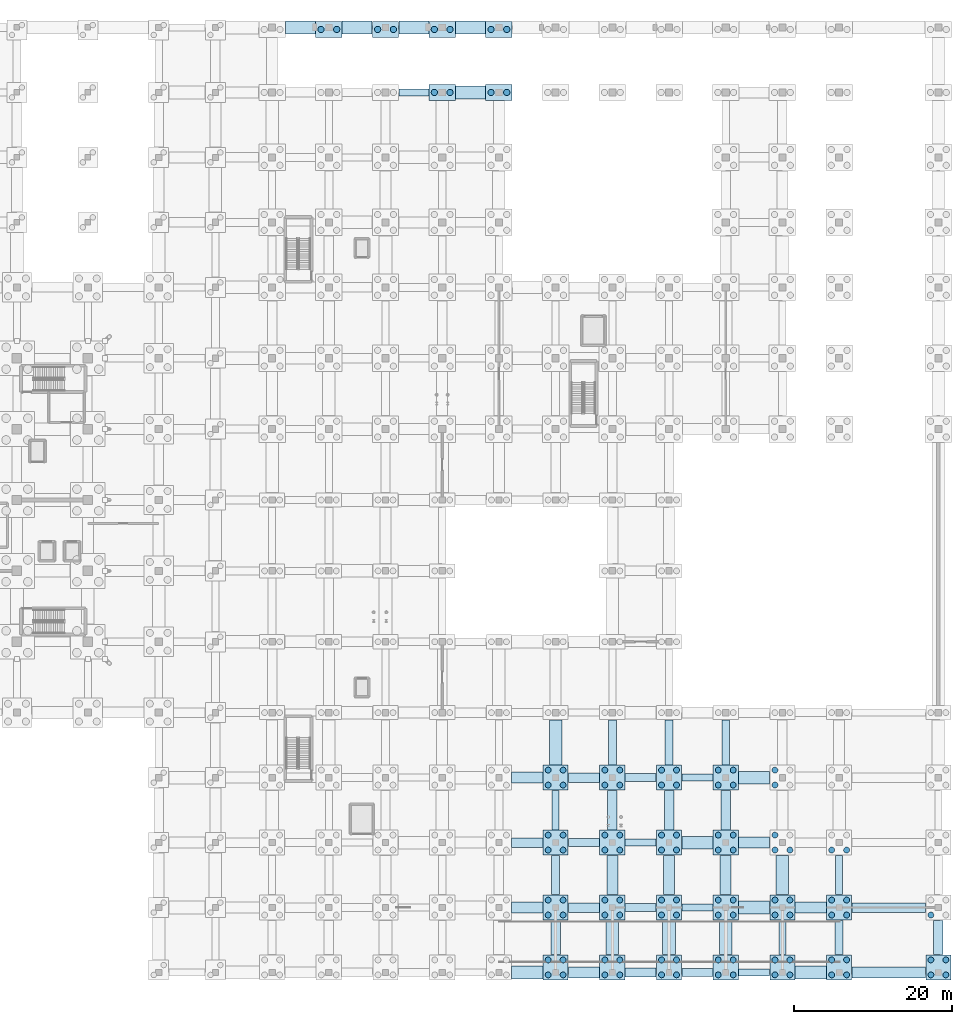
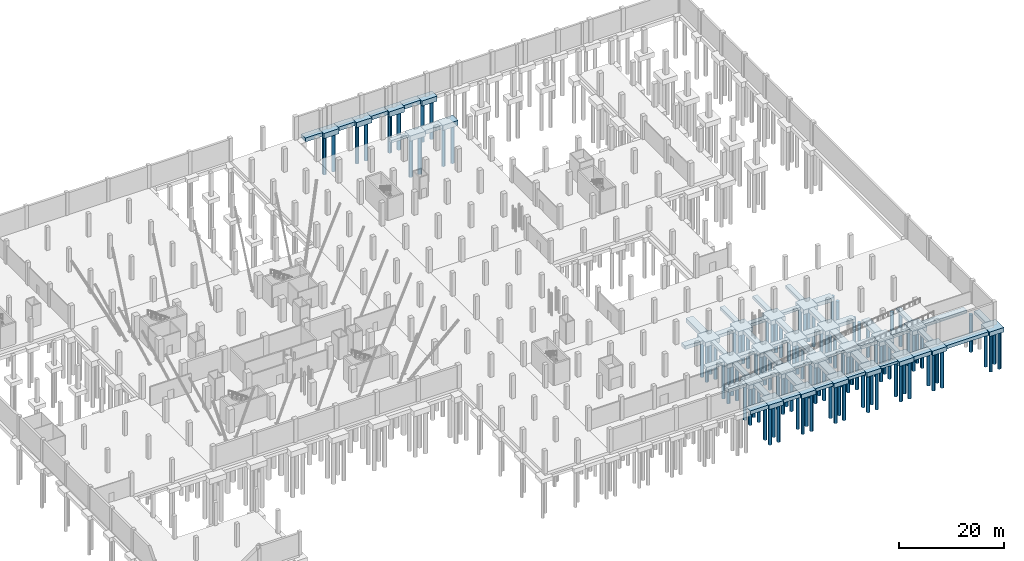
# One storey, part 9 of 42: 104 piles, 78 footings.
"""IFC4 building model written with IfcOpenShell, lengths in metres."""

from ifc_helpers import new_model, si_unit, direction, frame, origin, origin_2d, place, context, subcontext, project, spatial, rectangle, circle, extrude, material, material_profile, profile_set, type_object, element, save


model = new_model("IFC4")

# Units and contexts
model_context = context("Model", 3, precision=1e-05, world=origin(), true_north=direction((0.0, 1.0)))
body_context = subcontext(model_context, "Body", "Model", "MODEL_VIEW")
ifc_project = project(units=[si_unit("LENGTHUNIT", "METRE"), si_unit("AREAUNIT", "SQUARE_METRE"), si_unit("VOLUMEUNIT", "CUBIC_METRE"), si_unit("PLANEANGLEUNIT", "RADIAN"), si_unit("MASSUNIT", "GRAM", prefix="KILO")], contexts=[model_context])

# Site, building, storey
site_placement = place(None, origin())
site = spatial("IfcSite", under=ifc_project, at=site_placement, CompositionType="ELEMENT")
building_placement = place(site_placement, origin())
building = spatial("IfcBuilding", under=site, at=building_placement, Name="Sundgate Opera House", CompositionType="ELEMENT")
storey_placement = place(building_placement, frame((0.0, 0.0, -5.39990234375)))
storey = spatial("IfcBuildingStorey", under=building, at=storey_placement, Name="B01", CompositionType="ELEMENT", Elevation=-5.39990234375)

# Footings
ifc_material_1 = material(Name="Concrete C40/50", Category="concrete")
footing_type_1 = type_object("IfcFootingType", Name="FT-PC-3200x3200x1050", PredefinedType="PILE_CAP", material=ifc_material_1)
for number, where, z_axis, x_axis, name in (
    (1, (131.39990234375, 0.64990234375, -1.85009765625), (0.0, 0.0, 1.0), (1.0, 0.0, 0.0), "Pile Cap F0218"),
    (2, (131.39990234375, 8.25, -1.85009765625), (0.0, 0.0, 1.0), (1.0, 0.0, 0.0), "Pile Cap F0219"),
    (3, (131.39990234375, 16.5, -1.85009765625), (0.0, 0.0, 1.0), (1.0, 0.0, 0.0), "Pile Cap F0220"),
    (4, (131.39990234375, 24.75, -1.85009765625), (0.0, 0.0, 1.0), (1.0, 0.0, 0.0), "Pile Cap F0221"),
    (5, (138.60009765625, 0.64990234375, -1.85009765625), (0.0, 0.0, 1.0), (1.0, 0.0, 0.0), "Pile Cap F0230"),
    (6, (138.60009765625, 8.25, -1.85009765625), (0.0, 0.0, 1.0), (1.0, 0.0, 0.0), "Pile Cap F0231"),
    (7, (138.60009765625, 16.5, -1.85009765625), (0.0, 0.0, 1.0), (1.0, 0.0, 0.0), "Pile Cap F0232"),
    (8, (138.60009765625, 24.75, -1.85009765625), (0.0, 0.0, 1.0), (1.0, 0.0, 0.0), "Pile Cap F0233"),
    (9, (145.800048828125, 0.64990234375, -1.85009765625), (0.0, 0.0, 1.0), (1.0, 0.0, 0.0), "Pile Cap F0243"),
    (10, (145.800048828125, 8.25, -1.85009765625), (0.0, 0.0, 1.0), (1.0, 0.0, 0.0), "Pile Cap F0244"),
    (11, (145.800048828125, 16.5, -1.85009765625), (0.0, 0.0, 1.0), (1.0, 0.0, 0.0), "Pile Cap F0245"),
    (12, (145.800048828125, 24.75, -1.85009765625), (0.0, 0.0, 1.0), (1.0, 0.0, 0.0), "Pile Cap F0246"),
    (13, (153.0, 0.64990234375, -1.85009765625), (0.0, 0.0, 1.0), (1.0, 0.0, 0.0), "Pile Cap F0256"),
    (14, (153.0, 8.25, -1.85009765625), (0.0, 0.0, 1.0), (1.0, 0.0, 0.0), "Pile Cap F0257"),
    (15, (153.0, 16.5, -1.85009765625), (0.0, 0.0, 1.0), (1.0, 0.0, 0.0), "Pile Cap F0258"),
    (16, (153.0, 24.75, -1.85009765625), (0.0, 0.0, 1.0), (1.0, 0.0, 0.0), "Pile Cap F0259"),
    (17, (160.199951171875, 0.64990234375, -1.85009765625), (0.0, 0.0, 1.0), (1.0, 0.0, 0.0), "Pile Cap F0268"),
    (18, (160.199951171875, 8.25, -1.85009765625), (0.0, 0.0, 1.0), (1.0, 0.0, 0.0), "Pile Cap F0269"),
    (19, (167.39990234375, 0.64990234375, -1.85009765625), (0.0, 0.0, 1.0), (1.0, 0.0, 0.0), "Pile Cap F0280"),
    (20, (167.39990234375, 8.25, -1.85009765625), (0.0, 0.0, 1.0), (1.0, 0.0, 0.0), "Pile Cap F0281"),
    (21, (180.0, 0.64990234375, -1.85009765625), (0.0, 0.0, 1.0), (1.0, 0.0, 0.0), "Pile Cap F0292"),
):
    element("IfcFooting", number, at=place(storey_placement, frame(where, z_axis=z_axis, x_axis=x_axis)), inside=storey, type_object=footing_type_1, Name=name, PredefinedType="PILE_CAP", context=body_context, shape_type="SweptSolid", body=[
        extrude(rectangle(XDim=3.199951171875, YDim=3.199951171875, at=origin_2d()), origin(), (0.0, 0.0, 1.0), 1.050048828125),
    ])
ifc_material_2 = material(Name="Concrete C40/50", Category="concrete")
footing_type_2 = type_object("IfcFootingType", Name="FT-PC-3360x2000x1200", PredefinedType="PILE_CAP", material=ifc_material_2)
for number, where, z_axis, x_axis, name in (
    (22, (102.60009765625, 119.75, -1.2001953125), (0.0, 0.0, 1.0), (1.0, 0.0, 0.0), "Pile Cap F0173"),
    (23, (109.800048828125, 119.75, -1.2001953125), (0.0, 0.0, 1.0), (1.0, 0.0, 0.0), "Pile Cap F0188"),
    (24, (117.0, 111.75, -2.0), (0.0, 0.0, 1.0), (1.0, 0.0, 0.0), "Pile Cap F0202"),
    (25, (117.0, 119.75, -1.2001953125), (0.0, 0.0, 1.0), (1.0, 0.0, 0.0), "Pile Cap F0203"),
    (26, (124.199951171875, 111.75, -2.0), (0.0, 0.0, 1.0), (1.0, 0.0, 0.0), "Pile Cap F0216"),
    (27, (124.199951171875, 119.75, -1.2001953125), (0.0, 0.0, 1.0), (1.0, 0.0, 0.0), "Pile Cap F0217"),
):
    element("IfcFooting", number, at=place(storey_placement, frame(where, z_axis=z_axis, x_axis=x_axis)), inside=storey, type_object=footing_type_2, Name=name, PredefinedType="PILE_CAP", context=body_context, shape_type="SweptSolid", body=[
        extrude(rectangle(XDim=3.360107421875, YDim=2.0, at=origin_2d()), origin(), (0.0, 0.0, 1.0), 1.199951171875),
    ])
ifc_material_3 = material(Name="Concrete C35/45", Category="concrete")
footing_type_3 = type_object("IfcFootingType", Name="FT-STR-1000x700", PredefinedType="STRIP_FOOTING", material=ifc_material_3)
footing_1_placement = place(storey_placement, frame((131.39990234375, 12.375, -1.5), z_axis=(0.0, 0.0, 1.0), x_axis=(1.0, 0.0, 0.0)))
element("IfcFooting", 28, at=footing_1_placement, inside=storey, type_object=footing_type_3, Name="Strip Footing F0487", PredefinedType="STRIP_FOOTING", context=body_context, shape_type="SweptSolid", body=[
    extrude(rectangle(XDim=1.0, YDim=5.0, at=origin_2d()), origin(), (0.0, 0.0, 1.0), 0.699951171875),
])
for number, where, z_axis, x_axis, name in (
    (29, (138.60009765625, 29.22509765625, -1.5), (0.0, 0.0, 1.0), (1.0, 0.0, 0.0), "Strip Footing F0497"),
    (30, (145.800048828125, 29.22509765625, -1.5), (0.0, 0.0, 1.0), (1.0, 0.0, 0.0), "Strip Footing F0507"),
    (31, (153.0, 29.22509765625, -1.5), (0.0, 0.0, 1.0), (1.0, 0.0, 0.0), "Strip Footing F0517"),
):
    element("IfcFooting", number, at=place(storey_placement, frame(where, z_axis=z_axis, x_axis=x_axis)), inside=storey, type_object=footing_type_3, Name=name, PredefinedType="STRIP_FOOTING", context=body_context, shape_type="SweptSolid", body=[
        extrude(rectangle(XDim=1.0, YDim=5.699951171875, at=origin_2d()), origin(), (0.0, 0.0, 1.0), 0.699951171875),
    ])
footing_2_placement = place(storey_placement, frame((167.39990234375, 4.449951171875, -1.5), z_axis=(0.0, 0.0, 1.0), x_axis=(1.0, 0.0, 0.0)))
element("IfcFooting", 32, at=footing_2_placement, inside=storey, type_object=footing_type_3, Name="Strip Footing F0532", PredefinedType="STRIP_FOOTING", context=body_context, shape_type="SweptSolid", body=[
    extrude(rectangle(XDim=1.0, YDim=4.35009765625, at=origin_2d()), origin(), (0.0, 0.0, 1.0), 0.699951171875),
])
for number, where, z_axis, x_axis, name in (
    (33, (149.39990234375, 0.0, -1.5), (0.0, 0.0, 1.0), (1.0, 0.0, 0.0), "Strip Footing F0552"),
    (34, (142.199951171875, 8.25, -1.5), (0.0, 0.0, 1.0), (1.0, 0.0, 0.0), "Strip Footing F0567"),
    (35, (135.0, 16.5, -1.5), (0.0, 0.0, 1.0), (1.0, 0.0, 0.0), "Strip Footing F0582"),
    (36, (142.199951171875, 24.75, -1.5), (0.0, 0.0, 1.0), (1.0, 0.0, 0.0), "Strip Footing F0597"),
):
    element("IfcFooting", number, at=place(storey_placement, frame(where, z_axis=z_axis, x_axis=x_axis)), inside=storey, type_object=footing_type_3, Name=name, PredefinedType="STRIP_FOOTING", context=body_context, shape_type="SweptSolid", body=[
        extrude(rectangle(XDim=3.949951171875, YDim=1.0, at=origin_2d()), origin(), (0.0, 0.0, 1.0), 0.699951171875),
    ])
ifc_material_4 = material(Name="Concrete C35/45", Category="concrete")
footing_type_4 = type_object("IfcFootingType", Name="FT-STR-1200x750", PredefinedType="STRIP_FOOTING", material=ifc_material_4)
footing_3_placement = place(storey_placement, frame((131.39990234375, 4.449951171875, -1.550048828125), z_axis=(0.0, 0.0, 1.0), x_axis=(1.0, 0.0, 0.0)))
element("IfcFooting", 37, at=footing_3_placement, inside=storey, type_object=footing_type_4, Name="Strip Footing F0486", PredefinedType="STRIP_FOOTING", context=body_context, shape_type="SweptSolid", body=[
    extrude(rectangle(XDim=1.199951171875, YDim=4.35009765625, at=origin_2d()), origin(), (0.0, 0.0, 1.0), 0.75),
])
for number, where, z_axis, x_axis, name in (
    (38, (138.60009765625, 20.625, -1.550048828125), (0.0, 0.0, 1.0), (1.0, 0.0, 0.0), "Strip Footing F0496"),
    (39, (145.800048828125, 20.625, -1.550048828125), (0.0, 0.0, 1.0), (1.0, 0.0, 0.0), "Strip Footing F0506"),
    (40, (153.0, 20.625, -1.550048828125), (0.0, 0.0, 1.0), (1.0, 0.0, 0.0), "Strip Footing F0516"),
):
    element("IfcFooting", number, at=place(storey_placement, frame(where, z_axis=z_axis, x_axis=x_axis)), inside=storey, type_object=footing_type_4, Name=name, PredefinedType="STRIP_FOOTING", context=body_context, shape_type="SweptSolid", body=[
        extrude(rectangle(XDim=1.199951171875, YDim=5.0, at=origin_2d()), origin(), (0.0, 0.0, 1.0), 0.75),
    ])
footing_4_placement = place(storey_placement, frame((180.0, 4.449951171875, -1.550048828125), z_axis=(0.0, 0.0, 1.0), x_axis=(1.0, 0.0, 0.0)))
element("IfcFooting", 41, at=footing_4_placement, inside=storey, type_object=footing_type_4, Name="Strip Footing F0536", PredefinedType="STRIP_FOOTING", context=body_context, shape_type="SweptSolid", body=[
    extrude(rectangle(XDim=1.199951171875, YDim=4.35009765625, at=origin_2d()), origin(), (0.0, 0.0, 1.0), 0.75),
])
for number, where, z_axis, x_axis, name in (
    (42, (142.199951171875, 0.0, -1.550048828125), (0.0, 0.0, 1.0), (1.0, 0.0, 0.0), "Strip Footing F0551"),
    (43, (135.0, 8.25, -1.550048828125), (0.0, 0.0, 1.0), (1.0, 0.0, 0.0), "Strip Footing F0566"),
):
    element("IfcFooting", number, at=place(storey_placement, frame(where, z_axis=z_axis, x_axis=x_axis)), inside=storey, type_object=footing_type_4, Name=name, PredefinedType="STRIP_FOOTING", context=body_context, shape_type="SweptSolid", body=[
        extrude(rectangle(XDim=3.949951171875, YDim=1.199951171875, at=origin_2d()), origin(), (0.0, 0.0, 1.0), 0.75),
    ])
footing_5_placement = place(storey_placement, frame((173.699951171875, 8.25, -1.550048828125), z_axis=(0.0, 0.0, 1.0), x_axis=(1.0, 0.0, 0.0)))
element("IfcFooting", 44, at=footing_5_placement, inside=storey, type_object=footing_type_4, Name="Strip Footing F0571", PredefinedType="STRIP_FOOTING", context=body_context, shape_type="SweptSolid", body=[
    extrude(rectangle(XDim=9.35009765625, YDim=1.199951171875, at=origin_2d()), origin(), (0.0, 0.0, 1.0), 0.75),
])
for number, where, z_axis, x_axis, name in (
    (45, (127.800048828125, 16.5, -1.550048828125), (0.0, 0.0, 1.0), (1.0, 0.0, 0.0), "Strip Footing F0581"),
    (46, (135.0, 24.75, -1.550048828125), (0.0, 0.0, 1.0), (1.0, 0.0, 0.0), "Strip Footing F0596"),
):
    element("IfcFooting", number, at=place(storey_placement, frame(where, z_axis=z_axis, x_axis=x_axis)), inside=storey, type_object=footing_type_4, Name=name, PredefinedType="STRIP_FOOTING", context=body_context, shape_type="SweptSolid", body=[
        extrude(rectangle(XDim=3.949951171875, YDim=1.199951171875, at=origin_2d()), origin(), (0.0, 0.0, 1.0), 0.75),
    ])
ifc_material_5 = material(Name="Concrete C35/45", Category="concrete")
footing_type_5 = type_object("IfcFootingType", Name="FT-STR-1400x800", PredefinedType="STRIP_FOOTING", material=ifc_material_5)
for number, where, z_axis, x_axis, name in (
    (47, (138.60009765625, 12.375, -1.60009765625), (0.0, 0.0, 1.0), (1.0, 0.0, 0.0), "Strip Footing F0495"),
    (48, (145.800048828125, 12.375, -1.60009765625), (0.0, 0.0, 1.0), (1.0, 0.0, 0.0), "Strip Footing F0505"),
    (49, (153.0, 12.375, -1.60009765625), (0.0, 0.0, 1.0), (1.0, 0.0, 0.0), "Strip Footing F0515"),
):
    element("IfcFooting", number, at=place(storey_placement, frame(where, z_axis=z_axis, x_axis=x_axis)), inside=storey, type_object=footing_type_5, Name=name, PredefinedType="STRIP_FOOTING", context=body_context, shape_type="SweptSolid", body=[
        extrude(rectangle(XDim=1.39990234375, YDim=5.0, at=origin_2d()), origin(), (0.0, 0.0, 1.0), 0.800048828125),
    ])
footing_6_placement = place(storey_placement, frame((135.0, 0.0, -1.60009765625), z_axis=(0.0, 0.0, 1.0), x_axis=(1.0, 0.0, 0.0)))
element("IfcFooting", 50, at=footing_6_placement, inside=storey, type_object=footing_type_5, Name="Strip Footing F0550", PredefinedType="STRIP_FOOTING", context=body_context, shape_type="SweptSolid", body=[
    extrude(rectangle(XDim=3.949951171875, YDim=1.39990234375, at=origin_2d()), origin(), (0.0, 0.0, 1.0), 0.800048828125),
])
footing_7_placement = place(storey_placement, frame((173.699951171875, 0.0, -1.60009765625), z_axis=(0.0, 0.0, 1.0), x_axis=(1.0, 0.0, 0.0)))
element("IfcFooting", 51, at=footing_7_placement, inside=storey, type_object=footing_type_5, Name="Strip Footing F0555", PredefinedType="STRIP_FOOTING", context=body_context, shape_type="SweptSolid", body=[
    extrude(rectangle(XDim=9.35009765625, YDim=1.39990234375, at=origin_2d()), origin(), (0.0, 0.0, 1.0), 0.800048828125),
])
for number, where, z_axis, x_axis, name in (
    (52, (127.800048828125, 8.25, -1.60009765625), (0.0, 0.0, 1.0), (1.0, 0.0, 0.0), "Strip Footing F0565"),
    (53, (163.800048828125, 8.25, -1.60009765625), (0.0, 0.0, 1.0), (1.0, 0.0, 0.0), "Strip Footing F0570"),
    (54, (156.60009765625, 16.5, -1.60009765625), (0.0, 0.0, 1.0), (1.0, 0.0, 0.0), "Strip Footing F0585"),
    (55, (127.800048828125, 24.75, -1.60009765625), (0.0, 0.0, 1.0), (1.0, 0.0, 0.0), "Strip Footing F0595"),
):
    element("IfcFooting", number, at=place(storey_placement, frame(where, z_axis=z_axis, x_axis=x_axis)), inside=storey, type_object=footing_type_5, Name=name, PredefinedType="STRIP_FOOTING", context=body_context, shape_type="SweptSolid", body=[
        extrude(rectangle(XDim=3.949951171875, YDim=1.39990234375, at=origin_2d()), origin(), (0.0, 0.0, 1.0), 0.800048828125),
    ])
ifc_material_6 = material(Name="Concrete C35/45", Category="concrete")
footing_type_6 = type_object("IfcFootingType", Name="FT-STR-1600x900", PredefinedType="STRIP_FOOTING", material=ifc_material_6)
footing_8_placement = place(storey_placement, frame((131.39990234375, 29.22509765625, -1.699951171875), z_axis=(0.0, 0.0, 1.0), x_axis=(1.0, 0.0, 0.0)))
element("IfcFooting", 56, at=footing_8_placement, inside=storey, type_object=footing_type_6, Name="Strip Footing F0489", PredefinedType="STRIP_FOOTING", context=body_context, shape_type="SweptSolid", body=[
    extrude(rectangle(XDim=1.60009765625, YDim=5.699951171875, at=origin_2d()), origin(), (0.0, 0.0, 1.0), 0.89990234375),
])
for number, where, z_axis, x_axis, name in (
    (57, (138.60009765625, 4.449951171875, -1.699951171875), (0.0, 0.0, 1.0), (1.0, 0.0, 0.0), "Strip Footing F0494"),
    (58, (145.800048828125, 4.449951171875, -1.699951171875), (0.0, 0.0, 1.0), (1.0, 0.0, 0.0), "Strip Footing F0504"),
    (59, (153.0, 4.449951171875, -1.699951171875), (0.0, 0.0, 1.0), (1.0, 0.0, 0.0), "Strip Footing F0514"),
):
    element("IfcFooting", number, at=place(storey_placement, frame(where, z_axis=z_axis, x_axis=x_axis)), inside=storey, type_object=footing_type_6, Name=name, PredefinedType="STRIP_FOOTING", context=body_context, shape_type="SweptSolid", body=[
        extrude(rectangle(XDim=1.60009765625, YDim=4.35009765625, at=origin_2d()), origin(), (0.0, 0.0, 1.0), 0.89990234375),
    ])
footing_9_placement = place(storey_placement, frame((160.199951171875, 12.375, -1.699951171875), z_axis=(0.0, 0.0, 1.0), x_axis=(1.0, 0.0, 0.0)))
element("IfcFooting", 60, at=footing_9_placement, inside=storey, type_object=footing_type_6, Name="Strip Footing F0524", PredefinedType="STRIP_FOOTING", context=body_context, shape_type="SweptSolid", body=[
    extrude(rectangle(XDim=1.60009765625, YDim=5.0, at=origin_2d()), origin(), (0.0, 0.0, 1.0), 0.89990234375),
])
for number, where, z_axis, x_axis, name in (
    (61, (127.800048828125, 0.0, -1.699951171875), (0.0, 0.0, 1.0), (1.0, 0.0, 0.0), "Strip Footing F0549"),
    (62, (163.800048828125, 0.0, -1.699951171875), (0.0, 0.0, 1.0), (1.0, 0.0, 0.0), "Strip Footing F0554"),
    (63, (156.60009765625, 8.25, -1.699951171875), (0.0, 0.0, 1.0), (1.0, 0.0, 0.0), "Strip Footing F0569"),
    (64, (149.39990234375, 16.5, -1.699951171875), (0.0, 0.0, 1.0), (1.0, 0.0, 0.0), "Strip Footing F0584"),
    (65, (156.60009765625, 24.75, -1.699951171875), (0.0, 0.0, 1.0), (1.0, 0.0, 0.0), "Strip Footing F0599"),
):
    element("IfcFooting", number, at=place(storey_placement, frame(where, z_axis=z_axis, x_axis=x_axis)), inside=storey, type_object=footing_type_6, Name=name, PredefinedType="STRIP_FOOTING", context=body_context, shape_type="SweptSolid", body=[
        extrude(rectangle(XDim=3.949951171875, YDim=1.60009765625, at=origin_2d()), origin(), (0.0, 0.0, 1.0), 0.89990234375),
    ])
for number, where, z_axis, x_axis, name in (
    (66, (120.60009765625, 111.75, -1.699951171875), (0.0, 0.0, 1.0), (1.0, 0.0, 0.0), "Strip Footing F0769"),
    (67, (99.0, 120.0, -0.900146484375), (0.0, 0.0, 1.0), (1.0, 0.0, 0.0), "Retaining Wall Strip Footing F0782"),
    (68, (106.199951171875, 120.0, -0.900146484375), (0.0, 0.0, 1.0), (1.0, 0.0, 0.0), "Retaining Wall Strip Footing F0783"),
    (69, (113.39990234375, 120.0, -0.900146484375), (0.0, 0.0, 1.0), (1.0, 0.0, 0.0), "Retaining Wall Strip Footing F0784"),
    (70, (120.60009765625, 120.0, -0.900146484375), (0.0, 0.0, 1.0), (1.0, 0.0, 0.0), "Retaining Wall Strip Footing F0785"),
):
    element("IfcFooting", number, at=place(storey_placement, frame(where, z_axis=z_axis, x_axis=x_axis)), inside=storey, type_object=footing_type_6, Name=name, PredefinedType="STRIP_FOOTING", context=body_context, shape_type="SweptSolid", body=[
        extrude(rectangle(XDim=3.7900390625, YDim=1.60009765625, at=origin_2d()), origin(), (0.0, 0.0, 1.0), 0.89990234375),
    ])
ifc_material_7 = material(Name="Concrete C35/45", Category="concrete")
footing_type_7 = type_object("IfcFootingType", Name="FT-STR-900x600", PredefinedType="STRIP_FOOTING", material=ifc_material_7)
footing_10_placement = place(storey_placement, frame((131.39990234375, 20.625, -1.400146484375), z_axis=(0.0, 0.0, 1.0), x_axis=(1.0, 0.0, 0.0)))
element("IfcFooting", 71, at=footing_10_placement, inside=storey, type_object=footing_type_7, Name="Strip Footing F0488", PredefinedType="STRIP_FOOTING", context=body_context, shape_type="SweptSolid", body=[
    extrude(rectangle(XDim=0.89990234375, YDim=5.0, at=origin_2d()), origin(), (0.0, 0.0, 1.0), 0.60009765625),
])
footing_11_placement = place(storey_placement, frame((160.199951171875, 4.449951171875, -1.400146484375), z_axis=(0.0, 0.0, 1.0), x_axis=(1.0, 0.0, 0.0)))
element("IfcFooting", 72, at=footing_11_placement, inside=storey, type_object=footing_type_7, Name="Strip Footing F0523", PredefinedType="STRIP_FOOTING", context=body_context, shape_type="SweptSolid", body=[
    extrude(rectangle(XDim=0.89990234375, YDim=4.35009765625, at=origin_2d()), origin(), (0.0, 0.0, 1.0), 0.60009765625),
])
footing_12_placement = place(storey_placement, frame((167.39990234375, 12.375, -1.400146484375), z_axis=(0.0, 0.0, 1.0), x_axis=(1.0, 0.0, 0.0)))
element("IfcFooting", 73, at=footing_12_placement, inside=storey, type_object=footing_type_7, Name="Strip Footing F0533", PredefinedType="STRIP_FOOTING", context=body_context, shape_type="SweptSolid", body=[
    extrude(rectangle(XDim=0.89990234375, YDim=5.0, at=origin_2d()), origin(), (0.0, 0.0, 1.0), 0.60009765625),
])
for number, where, z_axis, x_axis, name in (
    (74, (156.60009765625, 0.0, -1.400146484375), (0.0, 0.0, 1.0), (1.0, 0.0, 0.0), "Strip Footing F0553"),
    (75, (149.39990234375, 8.25, -1.400146484375), (0.0, 0.0, 1.0), (1.0, 0.0, 0.0), "Strip Footing F0568"),
    (76, (142.199951171875, 16.5, -1.400146484375), (0.0, 0.0, 1.0), (1.0, 0.0, 0.0), "Strip Footing F0583"),
    (77, (149.39990234375, 24.75, -1.400146484375), (0.0, 0.0, 1.0), (1.0, 0.0, 0.0), "Strip Footing F0598"),
):
    element("IfcFooting", number, at=place(storey_placement, frame(where, z_axis=z_axis, x_axis=x_axis)), inside=storey, type_object=footing_type_7, Name=name, PredefinedType="STRIP_FOOTING", context=body_context, shape_type="SweptSolid", body=[
        extrude(rectangle(XDim=3.949951171875, YDim=0.89990234375, at=origin_2d()), origin(), (0.0, 0.0, 1.0), 0.60009765625),
    ])
footing_13_placement = place(storey_placement, frame((113.39990234375, 111.75, -1.400146484375), z_axis=(0.0, 0.0, 1.0), x_axis=(1.0, 0.0, 0.0)))
element("IfcFooting", 78, at=footing_13_placement, inside=storey, type_object=footing_type_7, Name="Strip Footing F0768", PredefinedType="STRIP_FOOTING", context=body_context, shape_type="SweptSolid", body=[
    extrude(rectangle(XDim=3.7900390625, YDim=0.89990234375, at=origin_2d()), origin(), (0.0, 0.0, 1.0), 0.60009765625),
])

# Piles
ifc_material_8 = material(Name="Concrete C40/50", Category="concrete")
ifc_material_profile_1 = material_profile(ifc_material_8, circle(Radius=0.375, at=origin_2d()), Name="PILE D750")
ifc_profile_set_1 = profile_set([ifc_material_profile_1], Name="Concrete C40/50")
pile_type_1 = type_object("IfcPileType", Name="PL-750", PredefinedType="BORED", material=ifc_profile_set_1)
for number, where, z_axis, x_axis, name in (
    (79, (130.449951171875, -0.300048828125, -1.75), (0.0, 0.0, -1.0), (1.0, 0.0, 0.0), "Rock-Socketed Pile P0623"),
    (80, (130.449951171875, 1.60009765625, -1.75), (0.0, 0.0, -1.0), (1.0, 0.0, 0.0), "Rock-Socketed Pile P0624"),
    (81, (132.35009765625, -0.300048828125, -1.75), (0.0, 0.0, -1.0), (1.0, 0.0, 0.0), "Rock-Socketed Pile P0625"),
    (82, (132.35009765625, 1.60009765625, -1.75), (0.0, 0.0, -1.0), (1.0, 0.0, 0.0), "Rock-Socketed Pile P0626"),
    (83, (130.449951171875, 7.300048828125, -1.75), (0.0, 0.0, -1.0), (1.0, 0.0, 0.0), "Rock-Socketed Pile P0627"),
    (84, (130.449951171875, 9.199951171875, -1.75), (0.0, 0.0, -1.0), (1.0, 0.0, 0.0), "Rock-Socketed Pile P0628"),
    (85, (132.35009765625, 7.300048828125, -1.75), (0.0, 0.0, -1.0), (1.0, 0.0, 0.0), "Rock-Socketed Pile P0629"),
    (86, (132.35009765625, 9.199951171875, -1.75), (0.0, 0.0, -1.0), (1.0, 0.0, 0.0), "Rock-Socketed Pile P0630"),
    (87, (130.449951171875, 15.550048828125, -1.75), (0.0, 0.0, -1.0), (1.0, 0.0, 0.0), "Rock-Socketed Pile P0631"),
    (88, (130.449951171875, 17.449951171875, -1.75), (0.0, 0.0, -1.0), (1.0, 0.0, 0.0), "Rock-Socketed Pile P0632"),
    (89, (132.35009765625, 15.550048828125, -1.75), (0.0, 0.0, -1.0), (1.0, 0.0, 0.0), "Rock-Socketed Pile P0633"),
    (90, (132.35009765625, 17.449951171875, -1.75), (0.0, 0.0, -1.0), (1.0, 0.0, 0.0), "Rock-Socketed Pile P0634"),
    (91, (130.449951171875, 23.800048828125, -1.75), (0.0, 0.0, -1.0), (1.0, 0.0, 0.0), "Rock-Socketed Pile P0635"),
    (92, (130.449951171875, 25.699951171875, -1.75), (0.0, 0.0, -1.0), (1.0, 0.0, 0.0), "Rock-Socketed Pile P0636"),
    (93, (132.35009765625, 23.800048828125, -1.75), (0.0, 0.0, -1.0), (1.0, 0.0, 0.0), "Rock-Socketed Pile P0637"),
    (94, (132.35009765625, 25.699951171875, -1.75), (0.0, 0.0, -1.0), (1.0, 0.0, 0.0), "Rock-Socketed Pile P0638"),
    (95, (137.64990234375, -0.300048828125, -1.75), (0.0, 0.0, -1.0), (1.0, 0.0, 0.0), "Rock-Socketed Pile P0661"),
    (96, (137.64990234375, 1.60009765625, -1.75), (0.0, 0.0, -1.0), (1.0, 0.0, 0.0), "Rock-Socketed Pile P0662"),
    (97, (139.550048828125, -0.300048828125, -1.75), (0.0, 0.0, -1.0), (1.0, 0.0, 0.0), "Rock-Socketed Pile P0663"),
    (98, (139.550048828125, 1.60009765625, -1.75), (0.0, 0.0, -1.0), (1.0, 0.0, 0.0), "Rock-Socketed Pile P0664"),
    (99, (137.64990234375, 7.300048828125, -1.75), (0.0, 0.0, -1.0), (1.0, 0.0, 0.0), "Rock-Socketed Pile P0665"),
    (100, (137.64990234375, 9.199951171875, -1.75), (0.0, 0.0, -1.0), (1.0, 0.0, 0.0), "Rock-Socketed Pile P0666"),
    (101, (139.550048828125, 7.300048828125, -1.75), (0.0, 0.0, -1.0), (1.0, 0.0, 0.0), "Rock-Socketed Pile P0667"),
    (102, (139.550048828125, 9.199951171875, -1.75), (0.0, 0.0, -1.0), (1.0, 0.0, 0.0), "Rock-Socketed Pile P0668"),
    (103, (137.64990234375, 15.550048828125, -1.75), (0.0, 0.0, -1.0), (1.0, 0.0, 0.0), "Rock-Socketed Pile P0669"),
    (104, (137.64990234375, 17.449951171875, -1.75), (0.0, 0.0, -1.0), (1.0, 0.0, 0.0), "Rock-Socketed Pile P0670"),
    (105, (139.550048828125, 15.550048828125, -1.75), (0.0, 0.0, -1.0), (1.0, 0.0, 0.0), "Rock-Socketed Pile P0671"),
    (106, (139.550048828125, 17.449951171875, -1.75), (0.0, 0.0, -1.0), (1.0, 0.0, 0.0), "Rock-Socketed Pile P0672"),
    (107, (137.64990234375, 23.800048828125, -1.75), (0.0, 0.0, -1.0), (1.0, 0.0, 0.0), "Rock-Socketed Pile P0673"),
    (108, (137.64990234375, 25.699951171875, -1.75), (0.0, 0.0, -1.0), (1.0, 0.0, 0.0), "Rock-Socketed Pile P0674"),
    (109, (139.550048828125, 23.800048828125, -1.75), (0.0, 0.0, -1.0), (1.0, 0.0, 0.0), "Rock-Socketed Pile P0675"),
    (110, (139.550048828125, 25.699951171875, -1.75), (0.0, 0.0, -1.0), (1.0, 0.0, 0.0), "Rock-Socketed Pile P0676"),
    (111, (144.85009765625, -0.300048828125, -1.75), (0.0, 0.0, -1.0), (1.0, 0.0, 0.0), "Rock-Socketed Pile P0701"),
    (112, (144.85009765625, 1.60009765625, -1.75), (0.0, 0.0, -1.0), (1.0, 0.0, 0.0), "Rock-Socketed Pile P0702"),
    (113, (146.75, -0.300048828125, -1.75), (0.0, 0.0, -1.0), (1.0, 0.0, 0.0), "Rock-Socketed Pile P0703"),
    (114, (146.75, 1.60009765625, -1.75), (0.0, 0.0, -1.0), (1.0, 0.0, 0.0), "Rock-Socketed Pile P0704"),
    (115, (144.85009765625, 7.300048828125, -1.75), (0.0, 0.0, -1.0), (1.0, 0.0, 0.0), "Rock-Socketed Pile P0705"),
    (116, (144.85009765625, 9.199951171875, -1.75), (0.0, 0.0, -1.0), (1.0, 0.0, 0.0), "Rock-Socketed Pile P0706"),
    (117, (146.75, 7.300048828125, -1.75), (0.0, 0.0, -1.0), (1.0, 0.0, 0.0), "Rock-Socketed Pile P0707"),
    (118, (146.75, 9.199951171875, -1.75), (0.0, 0.0, -1.0), (1.0, 0.0, 0.0), "Rock-Socketed Pile P0708"),
    (119, (144.85009765625, 15.550048828125, -1.75), (0.0, 0.0, -1.0), (1.0, 0.0, 0.0), "Rock-Socketed Pile P0709"),
    (120, (144.85009765625, 17.449951171875, -1.75), (0.0, 0.0, -1.0), (1.0, 0.0, 0.0), "Rock-Socketed Pile P0710"),
    (121, (146.75, 15.550048828125, -1.75), (0.0, 0.0, -1.0), (1.0, 0.0, 0.0), "Rock-Socketed Pile P0711"),
    (122, (146.75, 17.449951171875, -1.75), (0.0, 0.0, -1.0), (1.0, 0.0, 0.0), "Rock-Socketed Pile P0712"),
    (123, (144.85009765625, 23.800048828125, -1.75), (0.0, 0.0, -1.0), (1.0, 0.0, 0.0), "Rock-Socketed Pile P0713"),
    (124, (144.85009765625, 25.699951171875, -1.75), (0.0, 0.0, -1.0), (1.0, 0.0, 0.0), "Rock-Socketed Pile P0714"),
    (125, (146.75, 23.800048828125, -1.75), (0.0, 0.0, -1.0), (1.0, 0.0, 0.0), "Rock-Socketed Pile P0715"),
    (126, (146.75, 25.699951171875, -1.75), (0.0, 0.0, -1.0), (1.0, 0.0, 0.0), "Rock-Socketed Pile P0716"),
    (127, (152.050048828125, -0.300048828125, -1.75), (0.0, 0.0, -1.0), (1.0, 0.0, 0.0), "Rock-Socketed Pile P0741"),
    (128, (152.050048828125, 1.60009765625, -1.75), (0.0, 0.0, -1.0), (1.0, 0.0, 0.0), "Rock-Socketed Pile P0742"),
    (129, (153.949951171875, -0.300048828125, -1.75), (0.0, 0.0, -1.0), (1.0, 0.0, 0.0), "Rock-Socketed Pile P0743"),
    (130, (153.949951171875, 1.60009765625, -1.75), (0.0, 0.0, -1.0), (1.0, 0.0, 0.0), "Rock-Socketed Pile P0744"),
    (131, (152.050048828125, 7.300048828125, -1.75), (0.0, 0.0, -1.0), (1.0, 0.0, 0.0), "Rock-Socketed Pile P0745"),
    (132, (152.050048828125, 9.199951171875, -1.75), (0.0, 0.0, -1.0), (1.0, 0.0, 0.0), "Rock-Socketed Pile P0746"),
    (133, (153.949951171875, 7.300048828125, -1.75), (0.0, 0.0, -1.0), (1.0, 0.0, 0.0), "Rock-Socketed Pile P0747"),
    (134, (153.949951171875, 9.199951171875, -1.75), (0.0, 0.0, -1.0), (1.0, 0.0, 0.0), "Rock-Socketed Pile P0748"),
    (135, (152.050048828125, 15.550048828125, -1.75), (0.0, 0.0, -1.0), (1.0, 0.0, 0.0), "Rock-Socketed Pile P0749"),
    (136, (152.050048828125, 17.449951171875, -1.75), (0.0, 0.0, -1.0), (1.0, 0.0, 0.0), "Rock-Socketed Pile P0750"),
    (137, (153.949951171875, 15.550048828125, -1.75), (0.0, 0.0, -1.0), (1.0, 0.0, 0.0), "Rock-Socketed Pile P0751"),
    (138, (153.949951171875, 17.449951171875, -1.75), (0.0, 0.0, -1.0), (1.0, 0.0, 0.0), "Rock-Socketed Pile P0752"),
    (139, (152.050048828125, 23.800048828125, -1.75), (0.0, 0.0, -1.0), (1.0, 0.0, 0.0), "Rock-Socketed Pile P0753"),
    (140, (152.050048828125, 25.699951171875, -1.75), (0.0, 0.0, -1.0), (1.0, 0.0, 0.0), "Rock-Socketed Pile P0754"),
    (141, (153.949951171875, 23.800048828125, -1.75), (0.0, 0.0, -1.0), (1.0, 0.0, 0.0), "Rock-Socketed Pile P0755"),
    (142, (153.949951171875, 25.699951171875, -1.75), (0.0, 0.0, -1.0), (1.0, 0.0, 0.0), "Rock-Socketed Pile P0756"),
    (143, (159.25, -0.300048828125, -1.75), (0.0, 0.0, -1.0), (1.0, 0.0, 0.0), "Rock-Socketed Pile P0783"),
    (144, (159.25, 1.60009765625, -1.75), (0.0, 0.0, -1.0), (1.0, 0.0, 0.0), "Rock-Socketed Pile P0784"),
    (145, (161.14990234375, -0.300048828125, -1.75), (0.0, 0.0, -1.0), (1.0, 0.0, 0.0), "Rock-Socketed Pile P0785"),
    (146, (161.14990234375, 1.60009765625, -1.75), (0.0, 0.0, -1.0), (1.0, 0.0, 0.0), "Rock-Socketed Pile P0786"),
    (147, (159.25, 7.300048828125, -1.75), (0.0, 0.0, -1.0), (1.0, 0.0, 0.0), "Rock-Socketed Pile P0787"),
    (148, (159.25, 9.199951171875, -1.75), (0.0, 0.0, -1.0), (1.0, 0.0, 0.0), "Rock-Socketed Pile P0788"),
    (149, (161.14990234375, 7.300048828125, -1.75), (0.0, 0.0, -1.0), (1.0, 0.0, 0.0), "Rock-Socketed Pile P0789"),
    (150, (161.14990234375, 9.199951171875, -1.75), (0.0, 0.0, -1.0), (1.0, 0.0, 0.0), "Rock-Socketed Pile P0790"),
    (151, (159.25, 15.550048828125, -1.75), (0.0, 0.0, -1.0), (1.0, 0.0, 0.0), "Rock-Socketed Pile P0791"),
    (152, (159.25, 17.449951171875, -1.75), (0.0, 0.0, -1.0), (1.0, 0.0, 0.0), "Rock-Socketed Pile P0792"),
    (153, (161.14990234375, 15.550048828125, -1.75), (0.0, 0.0, -1.0), (1.0, 0.0, 0.0), "Rock-Socketed Pile P0793"),
    (154, (159.25, 23.800048828125, -1.75), (0.0, 0.0, -1.0), (1.0, 0.0, 0.0), "Rock-Socketed Pile P0795"),
    (155, (159.25, 25.699951171875, -1.75), (0.0, 0.0, -1.0), (1.0, 0.0, 0.0), "Rock-Socketed Pile P0796"),
    (156, (166.449951171875, -0.300048828125, -1.75), (0.0, 0.0, -1.0), (1.0, 0.0, 0.0), "Rock-Socketed Pile P0825"),
    (157, (166.449951171875, 1.60009765625, -1.75), (0.0, 0.0, -1.0), (1.0, 0.0, 0.0), "Rock-Socketed Pile P0826"),
    (158, (168.35009765625, -0.300048828125, -1.75), (0.0, 0.0, -1.0), (1.0, 0.0, 0.0), "Rock-Socketed Pile P0827"),
    (159, (168.35009765625, 1.60009765625, -1.75), (0.0, 0.0, -1.0), (1.0, 0.0, 0.0), "Rock-Socketed Pile P0828"),
    (160, (166.449951171875, 7.300048828125, -1.75), (0.0, 0.0, -1.0), (1.0, 0.0, 0.0), "Rock-Socketed Pile P0829"),
    (161, (166.449951171875, 9.199951171875, -1.75), (0.0, 0.0, -1.0), (1.0, 0.0, 0.0), "Rock-Socketed Pile P0830"),
    (162, (168.35009765625, 7.300048828125, -1.75), (0.0, 0.0, -1.0), (1.0, 0.0, 0.0), "Rock-Socketed Pile P0831"),
    (163, (168.35009765625, 9.199951171875, -1.75), (0.0, 0.0, -1.0), (1.0, 0.0, 0.0), "Rock-Socketed Pile P0832"),
    (164, (166.449951171875, 15.550048828125, -1.75), (0.0, 0.0, -1.0), (1.0, 0.0, 0.0), "Rock-Socketed Pile P0833"),
    (165, (168.35009765625, 15.550048828125, -1.75), (0.0, 0.0, -1.0), (1.0, 0.0, 0.0), "Rock-Socketed Pile P0835"),
    (166, (179.050048828125, -0.300048828125, -1.75), (0.0, 0.0, -1.0), (1.0, 0.0, 0.0), "Rock-Socketed Pile P0867"),
    (167, (179.050048828125, 1.60009765625, -1.75), (0.0, 0.0, -1.0), (1.0, 0.0, 0.0), "Rock-Socketed Pile P0868"),
    (168, (180.949951171875, -0.300048828125, -1.75), (0.0, 0.0, -1.0), (1.0, 0.0, 0.0), "Rock-Socketed Pile P0869"),
    (169, (180.949951171875, 1.60009765625, -1.75), (0.0, 0.0, -1.0), (1.0, 0.0, 0.0), "Rock-Socketed Pile P0870"),
    (170, (179.050048828125, 7.300048828125, -1.75), (0.0, 0.0, -1.0), (1.0, 0.0, 0.0), "Rock-Socketed Pile P0871"),
):
    element("IfcPile", number, at=place(storey_placement, frame(where, z_axis=z_axis, x_axis=x_axis)), inside=storey, type_object=pile_type_1, Name=name, PredefinedType="BORED", context=body_context, shape_type="SweptSolid", body=[
        extrude(circle(Radius=0.375, at=origin_2d()), origin(), (0.0, 0.0, 1.0), 8.699951171875),
    ])
ifc_material_9 = material(Name="Concrete C40/50", Category="concrete")
ifc_material_profile_2 = material_profile(ifc_material_9, circle(Radius=0.39990234375, at=origin_2d()), Name="PILE D800")
ifc_profile_set_2 = profile_set([ifc_material_profile_2], Name="Concrete C40/50")
pile_type_2 = type_object("IfcPileType", Name="PL-800", PredefinedType="BORED", material=ifc_profile_set_2)
for number, where, z_axis, x_axis, name in (
    (171, (101.60009765625, 119.75, -1.10009765625), (0.0, 0.0, -1.0), (1.0, 0.0, 0.0), "Rock-Socketed Pile P0479"),
    (172, (103.60009765625, 119.75, -1.10009765625), (0.0, 0.0, -1.0), (1.0, 0.0, 0.0), "Rock-Socketed Pile P0480"),
    (173, (108.800048828125, 119.75, -1.10009765625), (0.0, 0.0, -1.0), (1.0, 0.0, 0.0), "Rock-Socketed Pile P0527"),
    (174, (110.800048828125, 119.75, -1.10009765625), (0.0, 0.0, -1.0), (1.0, 0.0, 0.0), "Rock-Socketed Pile P0528"),
    (175, (116.0, 111.75, -1.900146484375), (0.0, 0.0, -1.0), (1.0, 0.0, 0.0), "Rock-Socketed Pile P0573"),
    (176, (118.0, 111.75, -1.900146484375), (0.0, 0.0, -1.0), (1.0, 0.0, 0.0), "Rock-Socketed Pile P0574"),
    (177, (116.0, 119.75, -1.10009765625), (0.0, 0.0, -1.0), (1.0, 0.0, 0.0), "Rock-Socketed Pile P0575"),
    (178, (118.0, 119.75, -1.10009765625), (0.0, 0.0, -1.0), (1.0, 0.0, 0.0), "Rock-Socketed Pile P0576"),
    (179, (123.199951171875, 111.75, -1.900146484375), (0.0, 0.0, -1.0), (1.0, 0.0, 0.0), "Rock-Socketed Pile P0619"),
    (180, (125.199951171875, 111.75, -1.900146484375), (0.0, 0.0, -1.0), (1.0, 0.0, 0.0), "Rock-Socketed Pile P0620"),
    (181, (123.199951171875, 119.75, -1.10009765625), (0.0, 0.0, -1.0), (1.0, 0.0, 0.0), "Rock-Socketed Pile P0621"),
    (182, (125.199951171875, 119.75, -1.10009765625), (0.0, 0.0, -1.0), (1.0, 0.0, 0.0), "Rock-Socketed Pile P0622"),
):
    element("IfcPile", number, at=place(storey_placement, frame(where, z_axis=z_axis, x_axis=x_axis)), inside=storey, type_object=pile_type_2, Name=name, PredefinedType="BORED", context=body_context, shape_type="SweptSolid", body=[
        extrude(circle(Radius=0.39990234375, at=origin_2d()), origin(), (0.0, 0.0, 1.0), 9.10009765625),
    ])

save(model, "model.ifc")
